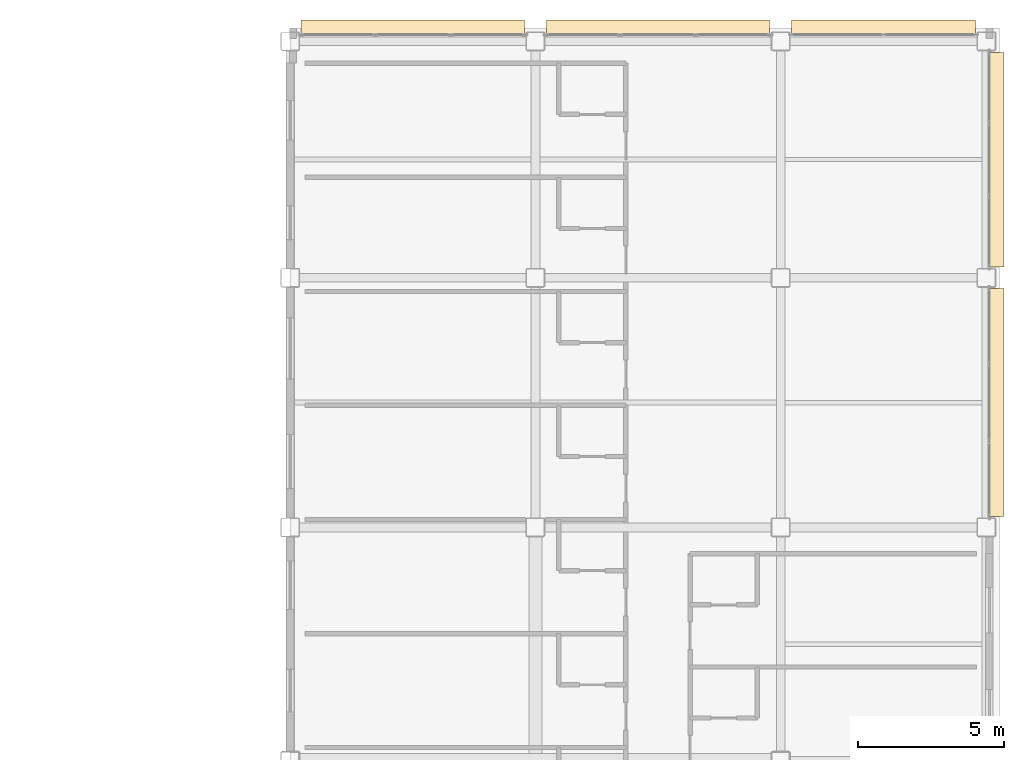
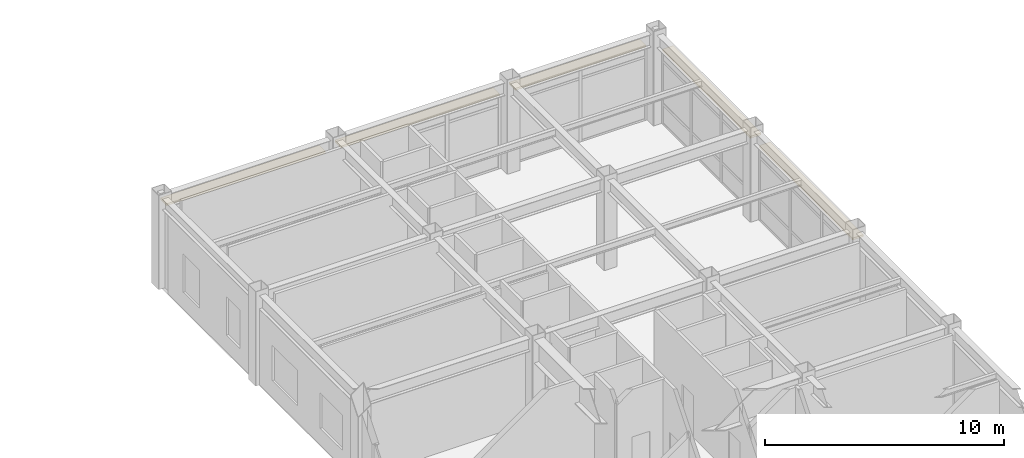
# One storey, part 93 of 93: 5 coverings.
"""IFC4 building model written with IfcOpenShell, lengths in metres."""

from ifc_helpers import new_model, si_unit, direction, frame, origin, origin_2d, place, context, subcontext, project, spatial, rectangle, extrude, material, layer, layer_set, type_object, element, save


model = new_model("IFC4")

# Units and contexts
model_context = context("Model", 3, precision=1e-05, world=origin(), true_north=direction((0.0, 1.0)))
body_context = subcontext(model_context, "Body", "Model", "MODEL_VIEW")
ifc_project = project(units=[si_unit("LENGTHUNIT", "METRE"), si_unit("AREAUNIT", "SQUARE_METRE"), si_unit("VOLUMEUNIT", "CUBIC_METRE"), si_unit("PLANEANGLEUNIT", "RADIAN"), si_unit("MASSUNIT", "GRAM", prefix="KILO")], contexts=[model_context])

# Site, building, storey
site_placement = place(None, origin())
site = spatial("IfcSite", under=ifc_project, at=site_placement, CompositionType="ELEMENT")
building_placement = place(site_placement, origin())
building = spatial("IfcBuilding", under=site, at=building_placement, Name="Kazehara Bluff Congress Hotel", CompositionType="ELEMENT")
storey_placement = place(building_placement, frame((0.0, 0.0, 15.0)))
storey = spatial("IfcBuildingStorey", under=building, at=storey_placement, Name="L03", CompositionType="ELEMENT", Elevation=15.0)

# Coverings
ifc_material = material(Name="Anodised aluminium architectural brise-soleil", Category="aluminium")
ifc_layer = layer(ifc_material, 0.10009765625)
ifc_layer_set = layer_set([ifc_layer], Name="Anodised aluminium architectural brise-soleil")
covering_type = type_object("IfcCoveringType", Name="TP-FAC-FIN", PredefinedType="CLADDING", material=ifc_layer_set)
covering_1_placement = place(storey_placement, frame((167.889892578125, 101.175048828125, 3.71484375), z_axis=(0.0, 0.0, 1.0), x_axis=(1.0, 0.0, 0.0)))
element("IfcCovering", 1, at=covering_1_placement, inside=storey, type_object=covering_type, Name="L03 V5 architectural sun-hood 156", PredefinedType="CLADDING", context=body_context, shape_type="SweptSolid", body=[
    extrude(rectangle(XDim=0.52001953125, YDim=7.800048828125, at=origin_2d()), origin(), (0.0, 0.0, 1.0), 0.10009765625),
])
covering_2_placement = place(storey_placement, frame((167.889892578125, 109.5, 3.71484375), z_axis=(0.0, 0.0, 1.0), x_axis=(1.0, 0.0, 0.0)))
element("IfcCovering", 2, at=covering_2_placement, inside=storey, type_object=covering_type, Name="L03 V5 architectural sun-hood 157", PredefinedType="CLADDING", context=body_context, shape_type="SweptSolid", body=[
    extrude(rectangle(XDim=0.52001953125, YDim=7.35009765625, at=origin_2d()), origin(), (0.0, 0.0, 1.0), 0.10009765625),
])
for number, where, z_axis, x_axis, name in (
    (3, (147.89990234375, 114.02001953125, 3.71484375), (0.0, 0.0, 1.0), (1.0, 0.0, 0.0), "L03 V5 architectural sun-hood 158"),
    (4, (156.300048828125, 114.02001953125, 3.71484375), (0.0, 0.0, 1.0), (1.0, 0.0, 0.0), "L03 V5 architectural sun-hood 159"),
):
    element("IfcCovering", number, at=place(storey_placement, frame(where, z_axis=z_axis, x_axis=x_axis)), inside=storey, type_object=covering_type, Name=name, PredefinedType="CLADDING", context=body_context, shape_type="SweptSolid", body=[
        extrude(rectangle(XDim=7.64990234375, YDim=0.52001953125, at=origin_2d()), origin(), (0.0, 0.0, 1.0), 0.10009765625),
    ])
covering_3_placement = place(storey_placement, frame((164.02490234375, 114.02001953125, 3.71484375), z_axis=(0.0, 0.0, 1.0), x_axis=(1.0, 0.0, 0.0)))
element("IfcCovering", 5, at=covering_3_placement, inside=storey, type_object=covering_type, Name="L03 V5 architectural sun-hood 160", PredefinedType="CLADDING", context=body_context, shape_type="SweptSolid", body=[
    extrude(rectangle(XDim=6.300048828125, YDim=0.52001953125, at=origin_2d()), origin(), (0.0, 0.0, 1.0), 0.10009765625),
])

save(model, "model.ifc")
